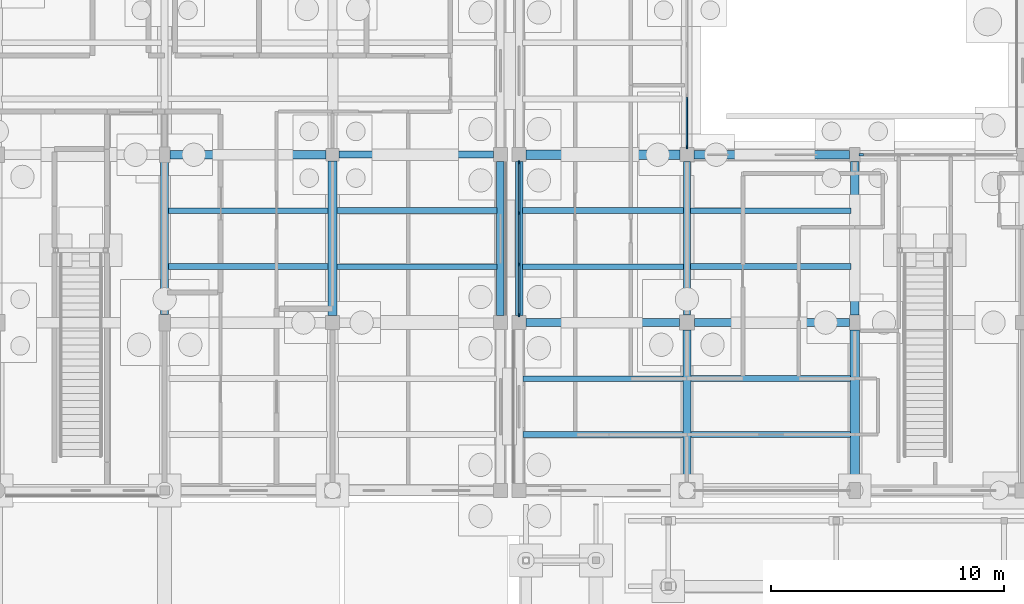
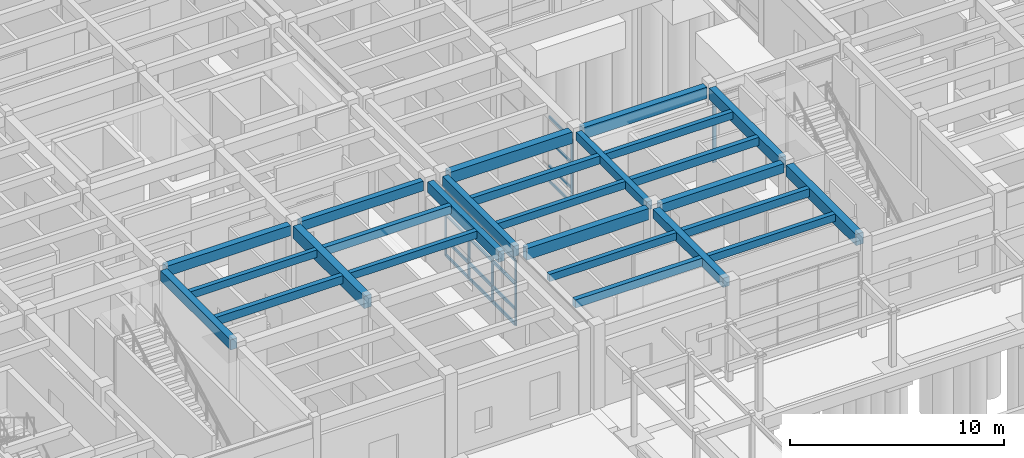
# One storey, part 58 of 143: 26 beams, 22 members, 3 elements without a shape of their own.
"""IFC4 building model written with IfcOpenShell, lengths in metres."""

from ifc_helpers import new_model, si_unit, direction, frame, origin, origin_2d, place, context, subcontext, project, spatial, rectangle, extrude, material, material_profile, profile_set, type_object, element, aggregate, save


model = new_model("IFC4")

# Units and contexts
model_context = context("Model", 3, precision=1e-05, world=origin(), true_north=direction((0.0, 1.0)))
body_context = subcontext(model_context, "Body", "Model", "MODEL_VIEW")
ifc_project = project(units=[si_unit("LENGTHUNIT", "METRE"), si_unit("AREAUNIT", "SQUARE_METRE"), si_unit("VOLUMEUNIT", "CUBIC_METRE"), si_unit("PLANEANGLEUNIT", "RADIAN"), si_unit("MASSUNIT", "GRAM", prefix="KILO")], contexts=[model_context])

# Site, building, storey
site_placement = place(None, origin())
site = spatial("IfcSite", under=ifc_project, at=site_placement, CompositionType="ELEMENT")
building_placement = place(site_placement, origin())
building = spatial("IfcBuilding", under=site, at=building_placement, Name="Steenspoor Specialist Clinic", CompositionType="ELEMENT")
storey_placement = place(building_placement, origin())
storey = spatial("IfcBuildingStorey", under=building, at=storey_placement, Name="L00", CompositionType="ELEMENT", Elevation=0.0)

# Beams
ifc_material_1 = material(Name="Concrete C35/45", Category="concrete")
ifc_material_profile_1 = material_profile(ifc_material_1, rectangle(XDim=0.300048828125, YDim=0.47998046875, at=origin_2d()), Name="RC-BM-300X480")
ifc_profile_set_1 = profile_set([ifc_material_profile_1], Name="Concrete C35/45")
beam_type_1 = type_object("IfcBeamType", Name="BM-RC-300X480", PredefinedType="BEAM", material=ifc_profile_set_1)
beam_1_placement = place(storey_placement, frame((59.60009765625, 72.669921875, 4.31005859375), z_axis=(0.0, 1.0, 0.0), x_axis=(-1.0, 0.0, 0.0)))
element("IfcBeam", 1, at=beam_1_placement, inside=storey, type_object=beam_type_1, Name="BM-V4-L00-Y0348", PredefinedType="BEAM", context=body_context, shape_type="SweptSolid", body=[
    extrude(rectangle(XDim=0.300048828125, YDim=0.47998046875, at=origin_2d()), origin(), (0.0, 0.0, 1.0), 6.5849609375),
])
ifc_material_profile_2 = material_profile(ifc_material_1, rectangle(XDim=0.300048828125, YDim=0.550048828125, at=origin_2d()), Name="RC-BM-300X550")
ifc_profile_set_2 = profile_set([ifc_material_profile_2], Name="Concrete C35/45")
beam_type_2 = type_object("IfcBeamType", Name="BM-RC-300X550", PredefinedType="BEAM", material=ifc_profile_set_2)
beam_2_placement = place(storey_placement, frame((44.669921875, 79.550048828125, 4.2451171875), z_axis=(1.0, 0.0, 0.0), x_axis=(0.0, 1.0, 0.0)))
element("IfcBeam", 2, at=beam_2_placement, inside=storey, type_object=beam_type_2, Name="BM-V5-L00-X1064", PredefinedType="BEAM", context=body_context, shape_type="SweptSolid", body=[
    extrude(rectangle(XDim=0.300048828125, YDim=0.550048828125, at=origin_2d()), origin(), (0.0, 0.0, 1.0), 6.635009765625),
])
ifc_material_profile_3 = material_profile(ifc_material_1, rectangle(XDim=0.35009765625, YDim=0.52001953125, at=origin_2d()), Name="RC-BM-350X520")
ifc_profile_set_3 = profile_set([ifc_material_profile_3], Name="Concrete C35/45")
beam_type_3 = type_object("IfcBeamType", Name="BM-RC-350X520", PredefinedType="BEAM", material=ifc_profile_set_3)
beam_3_placement = place(storey_placement, frame((59.919921875, 72.35009765625, 4.2900390625), z_axis=(1.0, 0.0, 0.0), x_axis=(0.0, 1.0, 0.0)))
element("IfcBeam", 3, at=beam_3_placement, inside=storey, type_object=beam_type_3, Name="BM-V4-L00-X0296", PredefinedType="BEAM", context=body_context, shape_type="SweptSolid", body=[
    extrude(rectangle(XDim=0.35009765625, YDim=0.52001953125, at=origin_2d()), origin(), (0.0, 0.0, 1.0), 6.66015625),
])
beam_4_placement = place(storey_placement, frame((59.60009765625, 65.4951171875, 4.2900390625), z_axis=(0.0, 1.0, 0.0), x_axis=(-1.0, 0.0, 0.0)))
element("IfcBeam", 4, at=beam_4_placement, inside=storey, type_object=beam_type_3, Name="BM-V4-L00-Y0347", PredefinedType="BEAM", context=body_context, shape_type="SweptSolid", body=[
    extrude(rectangle(XDim=0.35009765625, YDim=0.52001953125, at=origin_2d()), origin(), (0.0, 0.0, 1.0), 6.534912109375),
])
ifc_material_profile_4 = material_profile(ifc_material_1, rectangle(XDim=0.35009765625, YDim=0.580078125, at=origin_2d()), Name="RC-BM-350X580")
ifc_profile_set_4 = profile_set([ifc_material_profile_4], Name="Concrete C35/45")
beam_type_4 = type_object("IfcBeamType", Name="BM-RC-350X580", PredefinedType="BEAM", material=ifc_profile_set_4)
beam_5_placement = place(storey_placement, frame((37.419921875, 79.550048828125, 4.22998046875), z_axis=(1.0, 0.0, 0.0), x_axis=(0.0, 1.0, 0.0)))
element("IfcBeam", 5, at=beam_5_placement, inside=storey, type_object=beam_type_4, Name="BM-V5-L00-X1063", PredefinedType="BEAM", context=body_context, shape_type="SweptSolid", body=[
    extrude(rectangle(XDim=0.35009765625, YDim=0.580078125, at=origin_2d()), origin(), (0.0, 0.0, 1.0), 6.7099609375),
])
beam_6_placement = place(storey_placement, frame((37.199951171875, 72.695068359375, 4.22998046875), z_axis=(0.0, 1.0, 0.0), x_axis=(-1.0, 0.0, 0.0)))
element("IfcBeam", 6, at=beam_6_placement, inside=storey, type_object=beam_type_4, Name="BM-V5-L00-Y1095", PredefinedType="BEAM", context=body_context, shape_type="SweptSolid", body=[
    extrude(rectangle(XDim=0.35009765625, YDim=0.580078125, at=origin_2d()), origin(), (0.0, 0.0, 1.0), 6.534912109375),
])
ifc_material_profile_5 = material_profile(ifc_material_1, rectangle(XDim=0.35009765625, YDim=0.64990234375, at=origin_2d()), Name="RC-BM-350X650")
ifc_profile_set_5 = profile_set([ifc_material_profile_5], Name="Concrete C35/45")
beam_type_5 = type_object("IfcBeamType", Name="BM-RC-350X650", PredefinedType="BEAM", material=ifc_profile_set_5)
beam_7_placement = place(storey_placement, frame((52.695068359375, 72.35009765625, 4.22509765625), z_axis=(1.0, 0.0, 0.0), x_axis=(0.0, 1.0, 0.0)))
element("IfcBeam", 7, at=beam_7_placement, inside=storey, type_object=beam_type_5, Name="BM-V4-L00-X0295", PredefinedType="BEAM", context=body_context, shape_type="SweptSolid", body=[
    extrude(rectangle(XDim=0.35009765625, YDim=0.64990234375, at=origin_2d()), origin(), (0.0, 0.0, 1.0), 6.5849609375),
])
beam_8_placement = place(storey_placement, frame((59.89501953125, 79.550048828125, 4.22509765625), z_axis=(1.0, 0.0, 0.0), x_axis=(0.0, 1.0, 0.0)))
element("IfcBeam", 8, at=beam_8_placement, inside=storey, type_object=beam_type_5, Name="BM-V4-L00-X0304", PredefinedType="BEAM", context=body_context, shape_type="SweptSolid", body=[
    extrude(rectangle(XDim=0.35009765625, YDim=0.64990234375, at=origin_2d()), origin(), (0.0, 0.0, 1.0), 6.68505859375),
])
beam_9_placement = place(storey_placement, frame((66.800048828125, 72.669921875, 4.22509765625), z_axis=(0.0, 1.0, 0.0), x_axis=(-1.0, 0.0, 0.0)))
element("IfcBeam", 9, at=beam_9_placement, inside=storey, type_object=beam_type_5, Name="BM-V4-L00-Y0354", PredefinedType="BEAM", context=body_context, shape_type="SweptSolid", body=[
    extrude(rectangle(XDim=0.35009765625, YDim=0.64990234375, at=origin_2d()), origin(), (0.0, 0.0, 1.0), 6.5849609375),
])
ifc_material_profile_6 = material_profile(ifc_material_1, rectangle(XDim=0.39990234375, YDim=0.64990234375, at=origin_2d()), Name="RC-BM-400X650")
ifc_profile_set_6 = profile_set([ifc_material_profile_6], Name="Concrete C35/45")
beam_type_6 = type_object("IfcBeamType", Name="BM-RC-400X650", PredefinedType="BEAM", material=ifc_profile_set_6)
beam_10_placement = place(storey_placement, frame((52.695068359375, 79.550048828125, 4.22509765625), z_axis=(1.0, 0.0, 0.0), x_axis=(0.0, 1.0, 0.0)))
element("IfcBeam", 10, at=beam_10_placement, inside=storey, type_object=beam_type_6, Name="BM-V4-L00-X0303", PredefinedType="BEAM", context=body_context, shape_type="SweptSolid", body=[
    extrude(rectangle(XDim=0.39990234375, YDim=0.64990234375, at=origin_2d()), origin(), (0.0, 0.0, 1.0), 6.60986328125),
])
beam_11_placement = place(storey_placement, frame((66.800048828125, 65.4951171875, 4.22509765625), z_axis=(0.0, 1.0, 0.0), x_axis=(-1.0, 0.0, 0.0)))
element("IfcBeam", 11, at=beam_11_placement, inside=storey, type_object=beam_type_6, Name="BM-V4-L00-Y0353", PredefinedType="BEAM", context=body_context, shape_type="SweptSolid", body=[
    extrude(rectangle(XDim=0.39990234375, YDim=0.64990234375, at=origin_2d()), origin(), (0.0, 0.0, 1.0), 6.534912109375),
])
ifc_material_profile_7 = material_profile(ifc_material_1, rectangle(XDim=0.39990234375, YDim=0.699951171875, at=origin_2d()), Name="RC-BM-400X700")
ifc_profile_set_7 = profile_set([ifc_material_profile_7], Name="Concrete C35/45")
beam_type_7 = type_object("IfcBeamType", Name="BM-RC-400X700", PredefinedType="BEAM", material=ifc_profile_set_7)
beam_12_placement = place(storey_placement, frame((44.39990234375, 72.64501953125, 4.169921875), z_axis=(0.0, 1.0, 0.0), x_axis=(-1.0, 0.0, 0.0)))
element("IfcBeam", 12, at=beam_12_placement, inside=storey, type_object=beam_type_7, Name="BM-V5-L00-Y1101", PredefinedType="BEAM", context=body_context, shape_type="SweptSolid", body=[
    extrude(rectangle(XDim=0.39990234375, YDim=0.699951171875, at=origin_2d()), origin(), (0.0, 0.0, 1.0), 6.635009765625),
])

# Curtain wall, members
ifc_material_2 = material(Name="Thermally broken aluminium and low-emissivity glass", Category="aluminium")
curtain_wall_type_1 = type_object("IfcCurtainWallType", Name="CW-WLK-520X340", PredefinedType="USERDEFINED", material=ifc_material_2)
curtain_wall_1_placement = place(storey_placement, origin())
curtain_wall_1 = element("IfcCurtainWall", 13, at=curtain_wall_1_placement, inside=storey, type_object=curtain_wall_type_1, Name="Unitised Curtain Wall CW-V4-L00-045", ObjectType="UNITISED GLAZING", PredefinedType="USERDEFINED")
ifc_material_3 = material(Name="Thermally broken aluminium 6063-T6", Category="aluminium")
ifc_material_profile_8 = material_profile(ifc_material_3, rectangle(XDim=0.06494140625, YDim=0.14990234375, at=origin_2d()), Name="CWM-65X150")
ifc_profile_set_8 = profile_set([ifc_material_profile_8], Name="Thermally broken aluminium 6063-T6")
member_type_1 = type_object("IfcMemberType", Name="CW-MULL-65X150", PredefinedType="MULLION", material=ifc_profile_set_8)
member_1_placement = place(storey_placement, frame((52.39990234375, 72.6826171875, 0.0), z_axis=(0.0, 0.0, 1.0), x_axis=(-1.0, 0.0, 0.0)))
member_1 = element("IfcMember", 14, at=member_1_placement, type_object=member_type_1, Name="CW-21 mullion 1", PredefinedType="MULLION", context=body_context, shape_type="SweptSolid", body=[
    extrude(rectangle(XDim=0.06494140625, YDim=0.14990234375, at=origin_2d()), origin(), (0.0, 0.0, 1.0), 3.72998046875),
])
member_2_placement = place(storey_placement, frame((52.39990234375, 74.85009765625, 0.0), z_axis=(0.0, 0.0, 1.0), x_axis=(-1.0, 0.0, 0.0)))
member_2 = element("IfcMember", 15, at=member_2_placement, type_object=member_type_1, Name="CW-21 mullion 2", PredefinedType="MULLION", context=body_context, shape_type="SweptSolid", body=[
    extrude(rectangle(XDim=0.06494140625, YDim=0.14990234375, at=origin_2d()), origin(), (0.0, 0.0, 1.0), 3.72998046875),
])
member_3_placement = place(storey_placement, frame((52.39990234375, 77.050048828125, 0.0), z_axis=(0.0, 0.0, 1.0), x_axis=(-1.0, 0.0, 0.0)))
member_3 = element("IfcMember", 16, at=member_3_placement, type_object=member_type_1, Name="CW-21 mullion 3", PredefinedType="MULLION", context=body_context, shape_type="SweptSolid", body=[
    extrude(rectangle(XDim=0.06494140625, YDim=0.14990234375, at=origin_2d()), origin(), (0.0, 0.0, 1.0), 3.72998046875),
])
member_4_placement = place(storey_placement, frame((52.39990234375, 79.217529296875, 0.0), z_axis=(0.0, 0.0, 1.0), x_axis=(-1.0, 0.0, 0.0)))
member_4 = element("IfcMember", 17, at=member_4_placement, type_object=member_type_1, Name="CW-21 mullion 4", PredefinedType="MULLION", context=body_context, shape_type="SweptSolid", body=[
    extrude(rectangle(XDim=0.06494140625, YDim=0.14990234375, at=origin_2d()), origin(), (0.0, 0.0, 1.0), 3.72998046875),
])

# Curtain wall, member
curtain_wall_type_2 = type_object("IfcCurtainWallType", Name="CW-L00-240X415", PredefinedType="USERDEFINED", material=ifc_material_2)
curtain_wall_2_placement = place(storey_placement, origin())
curtain_wall_2 = element("IfcCurtainWall", 18, at=curtain_wall_2_placement, inside=storey, type_object=curtain_wall_type_2, Name="Unitised Curtain Wall CW-V4-L00-056", ObjectType="UNITISED GLAZING", PredefinedType="USERDEFINED")
ifc_material_profile_9 = material_profile(ifc_material_3, rectangle(XDim=0.070068359375, YDim=0.1650390625, at=origin_2d()), Name="CWM-70X165")
ifc_profile_set_9 = profile_set([ifc_material_profile_9], Name="Thermally broken aluminium 6063-T6")
member_type_2 = type_object("IfcMemberType", Name="CW-MULL-70X165", PredefinedType="MULLION", material=ifc_profile_set_9)
member_5_placement = place(storey_placement, frame((59.60009765625, 79.885009765625, 0.0), z_axis=(0.0, 0.0, 1.0), x_axis=(1.0, 0.0, 0.0)))
member_5 = element("IfcMember", 19, at=member_5_placement, type_object=member_type_2, Name="CW-08 mullion 4", PredefinedType="MULLION", context=body_context, shape_type="SweptSolid", body=[
    extrude(rectangle(XDim=0.070068359375, YDim=0.1650390625, at=origin_2d()), origin(), (0.0, 0.0, 1.0), 3.72998046875),
])

curtain_wall_type_3 = type_object("IfcCurtainWallType", Name="CW-L00-650X415", PredefinedType="USERDEFINED", material=ifc_material_2)
curtain_wall_3_placement = place(storey_placement, origin())
curtain_wall_3 = element("IfcCurtainWall", 20, at=curtain_wall_3_placement, inside=storey, type_object=curtain_wall_type_3, Name="Unitised Curtain Wall CW-V4-L00-053", ObjectType="UNITISED GLAZING", PredefinedType="USERDEFINED")
ifc_material_profile_10 = material_profile(ifc_material_3, rectangle(XDim=0.090087890625, YDim=0.199951171875, at=origin_2d()), Name="CWM-90X200")
ifc_profile_set_10 = profile_set([ifc_material_profile_10], Name="Thermally broken aluminium 6063-T6")
member_type_3 = type_object("IfcMemberType", Name="CW-MULL-90X200", PredefinedType="MULLION", material=ifc_profile_set_10)
member_6_placement = place(storey_placement, frame((67.070068359375, 79.550048828125, 0.0), z_axis=(0.0, 0.0, 1.0), x_axis=(0.0, 1.0, 0.0)))
member_6 = element("IfcMember", 21, at=member_6_placement, type_object=member_type_3, Name="CW-05 mullion 1", PredefinedType="MULLION", context=body_context, shape_type="SweptSolid", body=[
    extrude(rectangle(XDim=0.090087890625, YDim=0.199951171875, at=origin_2d()), origin(), (0.0, 0.0, 1.0), 3.72998046875),
])
aggregate(curtain_wall_3, [member_6])

# Member
ifc_material_profile_11 = material_profile(ifc_material_3, rectangle(XDim=0.070068359375, YDim=0.14501953125, at=origin_2d()), Name="CWT-70X145")
ifc_profile_set_11 = profile_set([ifc_material_profile_11], Name="Thermally broken aluminium 6063-T6")
member_type_4 = type_object("IfcMemberType", Name="CW-TRAN-70X145", PredefinedType="USERDEFINED", material=ifc_profile_set_11)
member_7_placement = place(storey_placement, frame((59.60009765625, 82.0234375, 0.034912109375), z_axis=(0.0, -1.0, 0.0), x_axis=(1.0, 0.0, 0.0)))
member_7 = element("IfcMember", 22, at=member_7_placement, type_object=member_type_4, Name="CW-08 transom 3.1", ObjectType="TRANSOM", PredefinedType="USERDEFINED", context=body_context, shape_type="SweptSolid", body=[
    extrude(rectangle(XDim=0.070068359375, YDim=0.14501953125, at=origin_2d()), origin(), (0.0, 0.0, 1.0), 2.103515625),
])

member_8_placement = place(storey_placement, frame((59.60009765625, 82.0234375, 0.89990234375), z_axis=(0.0, -1.0, 0.0), x_axis=(1.0, 0.0, 0.0)))
member_8 = element("IfcMember", 23, at=member_8_placement, type_object=member_type_4, Name="CW-08 transom 3.2", ObjectType="TRANSOM", PredefinedType="USERDEFINED", context=body_context, shape_type="SweptSolid", body=[
    extrude(rectangle(XDim=0.070068359375, YDim=0.14501953125, at=origin_2d()), origin(), (0.0, 0.0, 1.0), 2.103515625),
])

member_9_placement = place(storey_placement, frame((59.60009765625, 82.0234375, 2.35009765625), z_axis=(0.0, -1.0, 0.0), x_axis=(1.0, 0.0, 0.0)))
member_9 = element("IfcMember", 24, at=member_9_placement, type_object=member_type_4, Name="CW-08 transom 3.3", ObjectType="TRANSOM", PredefinedType="USERDEFINED", context=body_context, shape_type="SweptSolid", body=[
    extrude(rectangle(XDim=0.070068359375, YDim=0.14501953125, at=origin_2d()), origin(), (0.0, 0.0, 1.0), 2.103515625),
])

member_10_placement = place(storey_placement, frame((59.60009765625, 82.0234375, 3.695068359375), z_axis=(0.0, -1.0, 0.0), x_axis=(1.0, 0.0, 0.0)))
member_10 = element("IfcMember", 25, at=member_10_placement, type_object=member_type_4, Name="CW-08 transom 3.4", ObjectType="TRANSOM", PredefinedType="USERDEFINED", context=body_context, shape_type="SweptSolid", body=[
    extrude(rectangle(XDim=0.070068359375, YDim=0.14501953125, at=origin_2d()), origin(), (0.0, 0.0, 1.0), 2.103515625),
])

aggregate(curtain_wall_2, [member_5, member_7, member_8, member_9, member_10])

ifc_material_profile_12 = material_profile(ifc_material_3, rectangle(XDim=0.080078125, YDim=0.159912109375, at=origin_2d()), Name="CWT-80X160")
ifc_profile_set_12 = profile_set([ifc_material_profile_12], Name="Thermally broken aluminium 6063-T6")
member_type_5 = type_object("IfcMemberType", Name="CW-TRAN-80X160", PredefinedType="USERDEFINED", material=ifc_profile_set_12)
member_11_placement = place(storey_placement, frame((52.39990234375, 72.715087890625, 0.0400390625), z_axis=(0.0, 1.0, 0.0), x_axis=(-1.0, 0.0, 0.0)))
member_11 = element("IfcMember", 26, at=member_11_placement, type_object=member_type_5, Name="CW-21 transom 1.1", ObjectType="TRANSOM", PredefinedType="USERDEFINED", context=body_context, shape_type="SweptSolid", body=[
    extrude(rectangle(XDim=0.080078125, YDim=0.159912109375, at=origin_2d()), origin(), (0.0, 0.0, 1.0), 2.102294921875),
])

member_12_placement = place(storey_placement, frame((52.39990234375, 72.715087890625, 0.89990234375), z_axis=(0.0, 1.0, 0.0), x_axis=(-1.0, 0.0, 0.0)))
member_12 = element("IfcMember", 27, at=member_12_placement, type_object=member_type_5, Name="CW-21 transom 1.2", ObjectType="TRANSOM", PredefinedType="USERDEFINED", context=body_context, shape_type="SweptSolid", body=[
    extrude(rectangle(XDim=0.080078125, YDim=0.159912109375, at=origin_2d()), origin(), (0.0, 0.0, 1.0), 2.102294921875),
])

member_13_placement = place(storey_placement, frame((52.39990234375, 72.715087890625, 2.35009765625), z_axis=(0.0, 1.0, 0.0), x_axis=(-1.0, 0.0, 0.0)))
member_13 = element("IfcMember", 28, at=member_13_placement, type_object=member_type_5, Name="CW-21 transom 1.3", ObjectType="TRANSOM", PredefinedType="USERDEFINED", context=body_context, shape_type="SweptSolid", body=[
    extrude(rectangle(XDim=0.080078125, YDim=0.159912109375, at=origin_2d()), origin(), (0.0, 0.0, 1.0), 2.102294921875),
])

member_14_placement = place(storey_placement, frame((52.39990234375, 72.715087890625, 3.68994140625), z_axis=(0.0, 1.0, 0.0), x_axis=(-1.0, 0.0, 0.0)))
member_14 = element("IfcMember", 29, at=member_14_placement, type_object=member_type_5, Name="CW-21 transom 1.4", ObjectType="TRANSOM", PredefinedType="USERDEFINED", context=body_context, shape_type="SweptSolid", body=[
    extrude(rectangle(XDim=0.080078125, YDim=0.159912109375, at=origin_2d()), origin(), (0.0, 0.0, 1.0), 2.102294921875),
])

member_15_placement = place(storey_placement, frame((52.39990234375, 74.882568359375, 0.0400390625), z_axis=(0.0, 1.0, 0.0), x_axis=(-1.0, 0.0, 0.0)))
member_15 = element("IfcMember", 30, at=member_15_placement, type_object=member_type_5, Name="CW-21 transom 2.1", ObjectType="TRANSOM", PredefinedType="USERDEFINED", context=body_context, shape_type="SweptSolid", body=[
    extrude(rectangle(XDim=0.080078125, YDim=0.159912109375, at=origin_2d()), origin(), (0.0, 0.0, 1.0), 2.135009765625),
])

member_16_placement = place(storey_placement, frame((52.39990234375, 74.882568359375, 0.89990234375), z_axis=(0.0, 1.0, 0.0), x_axis=(-1.0, 0.0, 0.0)))
member_16 = element("IfcMember", 31, at=member_16_placement, type_object=member_type_5, Name="CW-21 transom 2.2", ObjectType="TRANSOM", PredefinedType="USERDEFINED", context=body_context, shape_type="SweptSolid", body=[
    extrude(rectangle(XDim=0.080078125, YDim=0.159912109375, at=origin_2d()), origin(), (0.0, 0.0, 1.0), 2.135009765625),
])

member_17_placement = place(storey_placement, frame((52.39990234375, 74.882568359375, 2.35009765625), z_axis=(0.0, 1.0, 0.0), x_axis=(-1.0, 0.0, 0.0)))
member_17 = element("IfcMember", 32, at=member_17_placement, type_object=member_type_5, Name="CW-21 transom 2.3", ObjectType="TRANSOM", PredefinedType="USERDEFINED", context=body_context, shape_type="SweptSolid", body=[
    extrude(rectangle(XDim=0.080078125, YDim=0.159912109375, at=origin_2d()), origin(), (0.0, 0.0, 1.0), 2.135009765625),
])

member_18_placement = place(storey_placement, frame((52.39990234375, 74.882568359375, 3.68994140625), z_axis=(0.0, 1.0, 0.0), x_axis=(-1.0, 0.0, 0.0)))
member_18 = element("IfcMember", 33, at=member_18_placement, type_object=member_type_5, Name="CW-21 transom 2.4", ObjectType="TRANSOM", PredefinedType="USERDEFINED", context=body_context, shape_type="SweptSolid", body=[
    extrude(rectangle(XDim=0.080078125, YDim=0.159912109375, at=origin_2d()), origin(), (0.0, 0.0, 1.0), 2.135009765625),
])

member_19_placement = place(storey_placement, frame((52.39990234375, 77.08251953125, 0.0400390625), z_axis=(0.0, 1.0, 0.0), x_axis=(-1.0, 0.0, 0.0)))
member_19 = element("IfcMember", 34, at=member_19_placement, type_object=member_type_5, Name="CW-21 transom 3.1", ObjectType="TRANSOM", PredefinedType="USERDEFINED", context=body_context, shape_type="SweptSolid", body=[
    extrude(rectangle(XDim=0.080078125, YDim=0.159912109375, at=origin_2d()), origin(), (0.0, 0.0, 1.0), 2.1025390625),
])

member_20_placement = place(storey_placement, frame((52.39990234375, 77.08251953125, 0.89990234375), z_axis=(0.0, 1.0, 0.0), x_axis=(-1.0, 0.0, 0.0)))
member_20 = element("IfcMember", 35, at=member_20_placement, type_object=member_type_5, Name="CW-21 transom 3.2", ObjectType="TRANSOM", PredefinedType="USERDEFINED", context=body_context, shape_type="SweptSolid", body=[
    extrude(rectangle(XDim=0.080078125, YDim=0.159912109375, at=origin_2d()), origin(), (0.0, 0.0, 1.0), 2.1025390625),
])

member_21_placement = place(storey_placement, frame((52.39990234375, 77.08251953125, 2.35009765625), z_axis=(0.0, 1.0, 0.0), x_axis=(-1.0, 0.0, 0.0)))
member_21 = element("IfcMember", 36, at=member_21_placement, type_object=member_type_5, Name="CW-21 transom 3.3", ObjectType="TRANSOM", PredefinedType="USERDEFINED", context=body_context, shape_type="SweptSolid", body=[
    extrude(rectangle(XDim=0.080078125, YDim=0.159912109375, at=origin_2d()), origin(), (0.0, 0.0, 1.0), 2.1025390625),
])

member_22_placement = place(storey_placement, frame((52.39990234375, 77.08251953125, 3.68994140625), z_axis=(0.0, 1.0, 0.0), x_axis=(-1.0, 0.0, 0.0)))
member_22 = element("IfcMember", 37, at=member_22_placement, type_object=member_type_5, Name="CW-21 transom 3.4", ObjectType="TRANSOM", PredefinedType="USERDEFINED", context=body_context, shape_type="SweptSolid", body=[
    extrude(rectangle(XDim=0.080078125, YDim=0.159912109375, at=origin_2d()), origin(), (0.0, 0.0, 1.0), 2.1025390625),
])

aggregate(curtain_wall_1, [member_1, member_2, member_3, member_4, member_11, member_12, member_13, member_14, member_15, member_16, member_17, member_18, member_19, member_20, member_21, member_22])

# Beams
ifc_material_profile_13 = material_profile(ifc_material_1, rectangle(XDim=0.239990234375, YDim=0.419921875, at=origin_2d()), Name="RC-JT-240X420")
ifc_profile_set_13 = profile_set([ifc_material_profile_13], Name="Concrete C35/45")
beam_type_8 = type_object("IfcBeamType", Name="JT-RC-240X420", PredefinedType="JOIST", material=ifc_profile_set_13)
beam_13_placement = place(storey_placement, frame((52.574951171875, 69.949951171875, 4.340087890625), z_axis=(1.0, 0.0, 0.0), x_axis=(0.0, 1.0, 0.0)))
element("IfcBeam", 38, at=beam_13_placement, inside=storey, type_object=beam_type_8, Name="JT-V4-L00-0398", PredefinedType="JOIST", context=body_context, shape_type="SweptSolid", body=[
    extrude(rectangle(XDim=0.239990234375, YDim=0.419921875, at=origin_2d()), origin(), (0.0, 0.0, 1.0), 6.85498046875),
])
beam_14_placement = place(storey_placement, frame((52.554931640625, 74.75, 4.340087890625), z_axis=(1.0, 0.0, 0.0), x_axis=(0.0, 1.0, 0.0)))
element("IfcBeam", 39, at=beam_14_placement, inside=storey, type_object=beam_type_8, Name="JT-V4-L00-0399", PredefinedType="JOIST", context=body_context, shape_type="SweptSolid", body=[
    extrude(rectangle(XDim=0.239990234375, YDim=0.419921875, at=origin_2d()), origin(), (0.0, 0.0, 1.0), 6.900146484375),
])
beam_15_placement = place(storey_placement, frame((59.77001953125, 67.550048828125, 4.340087890625), z_axis=(1.0, 0.0, 0.0), x_axis=(0.0, 1.0, 0.0)))
element("IfcBeam", 40, at=beam_15_placement, inside=storey, type_object=beam_type_8, Name="JT-V4-L00-0409", PredefinedType="JOIST", context=body_context, shape_type="SweptSolid", body=[
    extrude(rectangle(XDim=0.239990234375, YDim=0.419921875, at=origin_2d()), origin(), (0.0, 0.0, 1.0), 6.8349609375),
])
beam_16_placement = place(storey_placement, frame((59.7451171875, 77.14990234375, 4.340087890625), z_axis=(1.0, 0.0, 0.0), x_axis=(0.0, 1.0, 0.0)))
element("IfcBeam", 41, at=beam_16_placement, inside=storey, type_object=beam_type_8, Name="JT-V4-L00-0412", PredefinedType="JOIST", context=body_context, shape_type="SweptSolid", body=[
    extrude(rectangle(XDim=0.239990234375, YDim=0.419921875, at=origin_2d()), origin(), (0.0, 0.0, 1.0), 6.884765625),
])
beam_17_placement = place(storey_placement, frame((37.3701171875, 77.14990234375, 4.31005859375), z_axis=(1.0, 0.0, 0.0), x_axis=(0.0, 1.0, 0.0)))
element("IfcBeam", 42, at=beam_17_placement, inside=storey, type_object=beam_type_8, Name="JT-V5-L00-1135", PredefinedType="JOIST", context=body_context, shape_type="SweptSolid", body=[
    extrude(rectangle(XDim=0.239990234375, YDim=0.419921875, at=origin_2d()), origin(), (0.0, 0.0, 1.0), 6.8349609375),
])
beam_18_placement = place(storey_placement, frame((44.594970703125, 74.75, 4.31005859375), z_axis=(1.0, 0.0, 0.0), x_axis=(0.0, 1.0, 0.0)))
element("IfcBeam", 43, at=beam_18_placement, inside=storey, type_object=beam_type_8, Name="JT-V5-L00-1145", PredefinedType="JOIST", context=body_context, shape_type="SweptSolid", body=[
    extrude(rectangle(XDim=0.239990234375, YDim=0.419921875, at=origin_2d()), origin(), (0.0, 0.0, 1.0), 6.85009765625),
])
ifc_material_profile_14 = material_profile(ifc_material_1, rectangle(XDim=0.260009765625, YDim=0.4599609375, at=origin_2d()), Name="RC-JT-260X460")
ifc_profile_set_14 = profile_set([ifc_material_profile_14], Name="Concrete C35/45")
beam_type_9 = type_object("IfcBeamType", Name="JT-RC-260X460", PredefinedType="JOIST", material=ifc_profile_set_14)
beam_19_placement = place(storey_placement, frame((52.574951171875, 67.550048828125, 4.320068359375), z_axis=(1.0, 0.0, 0.0), x_axis=(0.0, 1.0, 0.0)))
element("IfcBeam", 44, at=beam_19_placement, inside=storey, type_object=beam_type_9, Name="JT-V4-L00-0397", PredefinedType="JOIST", context=body_context, shape_type="SweptSolid", body=[
    extrude(rectangle(XDim=0.260009765625, YDim=0.4599609375, at=origin_2d()), origin(), (0.0, 0.0, 1.0), 6.85498046875),
])
beam_20_placement = place(storey_placement, frame((52.554931640625, 77.14990234375, 4.320068359375), z_axis=(1.0, 0.0, 0.0), x_axis=(0.0, 1.0, 0.0)))
element("IfcBeam", 45, at=beam_20_placement, inside=storey, type_object=beam_type_9, Name="JT-V4-L00-0400", PredefinedType="JOIST", context=body_context, shape_type="SweptSolid", body=[
    extrude(rectangle(XDim=0.260009765625, YDim=0.4599609375, at=origin_2d()), origin(), (0.0, 0.0, 1.0), 6.900146484375),
])
beam_21_placement = place(storey_placement, frame((59.77001953125, 69.949951171875, 4.320068359375), z_axis=(1.0, 0.0, 0.0), x_axis=(0.0, 1.0, 0.0)))
element("IfcBeam", 46, at=beam_21_placement, inside=storey, type_object=beam_type_9, Name="JT-V4-L00-0410", PredefinedType="JOIST", context=body_context, shape_type="SweptSolid", body=[
    extrude(rectangle(XDim=0.260009765625, YDim=0.4599609375, at=origin_2d()), origin(), (0.0, 0.0, 1.0), 6.8349609375),
])
beam_22_placement = place(storey_placement, frame((59.7451171875, 74.75, 4.320068359375), z_axis=(1.0, 0.0, 0.0), x_axis=(0.0, 1.0, 0.0)))
element("IfcBeam", 47, at=beam_22_placement, inside=storey, type_object=beam_type_9, Name="JT-V4-L00-0411", PredefinedType="JOIST", context=body_context, shape_type="SweptSolid", body=[
    extrude(rectangle(XDim=0.260009765625, YDim=0.4599609375, at=origin_2d()), origin(), (0.0, 0.0, 1.0), 6.884765625),
])
beam_23_placement = place(storey_placement, frame((37.3701171875, 74.75, 4.2900390625), z_axis=(1.0, 0.0, 0.0), x_axis=(0.0, 1.0, 0.0)))
element("IfcBeam", 48, at=beam_23_placement, inside=storey, type_object=beam_type_9, Name="JT-V5-L00-1134", PredefinedType="JOIST", context=body_context, shape_type="SweptSolid", body=[
    extrude(rectangle(XDim=0.260009765625, YDim=0.4599609375, at=origin_2d()), origin(), (0.0, 0.0, 1.0), 6.8349609375),
])
beam_24_placement = place(storey_placement, frame((44.594970703125, 77.14990234375, 4.2900390625), z_axis=(1.0, 0.0, 0.0), x_axis=(0.0, 1.0, 0.0)))
element("IfcBeam", 49, at=beam_24_placement, inside=storey, type_object=beam_type_9, Name="JT-V5-L00-1146", PredefinedType="JOIST", context=body_context, shape_type="SweptSolid", body=[
    extrude(rectangle(XDim=0.260009765625, YDim=0.4599609375, at=origin_2d()), origin(), (0.0, 0.0, 1.0), 6.85009765625),
])
ifc_material_profile_15 = material_profile(ifc_material_1, rectangle(XDim=0.320068359375, YDim=0.60009765625, at=origin_2d()), Name="RC-SP-320X600")
ifc_profile_set_15 = profile_set([ifc_material_profile_15], Name="Concrete C35/45")
beam_type_10 = type_object("IfcBeamType", Name="SP-RC-320X600", PredefinedType="SPANDREL", material=ifc_profile_set_15)
for number, where, z_axis, x_axis, name in (
    (50, (52.39990234375, 72.64501953125, 4.25), (0.0, 1.0, 0.0), (-1.0, 0.0, 0.0), "BM-V4-L00-Y0342"),
    (51, (51.60009765625, 72.64501953125, 4.219970703125), (0.0, 1.0, 0.0), (-1.0, 0.0, 0.0), "BM-V5-L00-Y1107"),
):
    element("IfcBeam", number, at=place(storey_placement, frame(where, z_axis=z_axis, x_axis=x_axis)), inside=storey, type_object=beam_type_10, Name=name, PredefinedType="SPANDREL", context=body_context, shape_type="SweptSolid", body=[
        extrude(rectangle(XDim=0.320068359375, YDim=0.60009765625, at=origin_2d()), origin(), (0.0, 0.0, 1.0), 6.60986328125),
    ])

save(model, "model.ifc")
